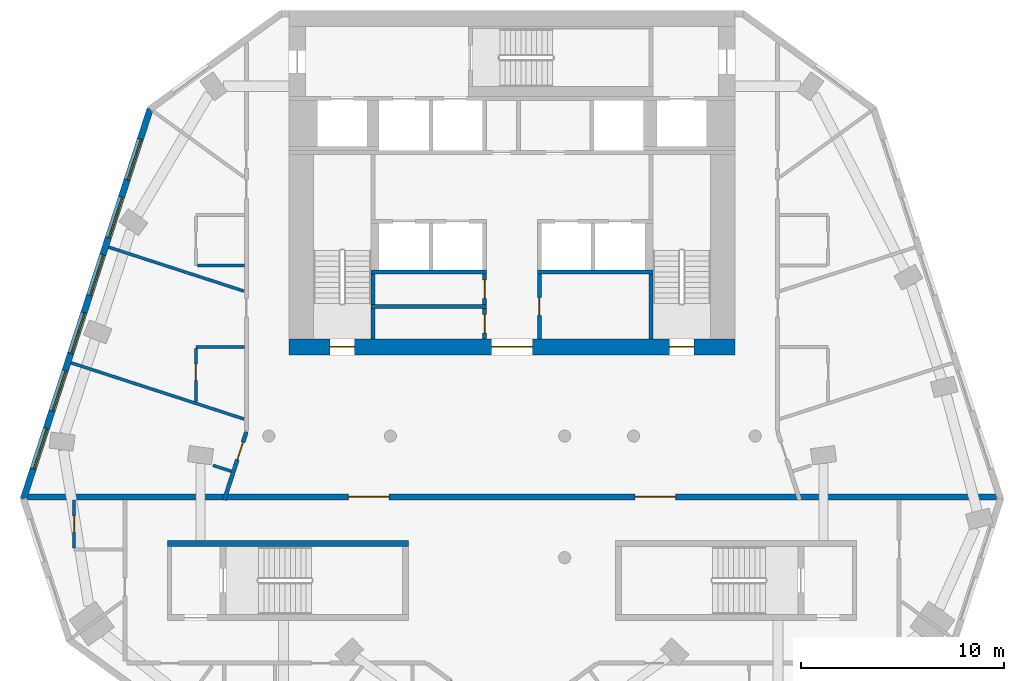
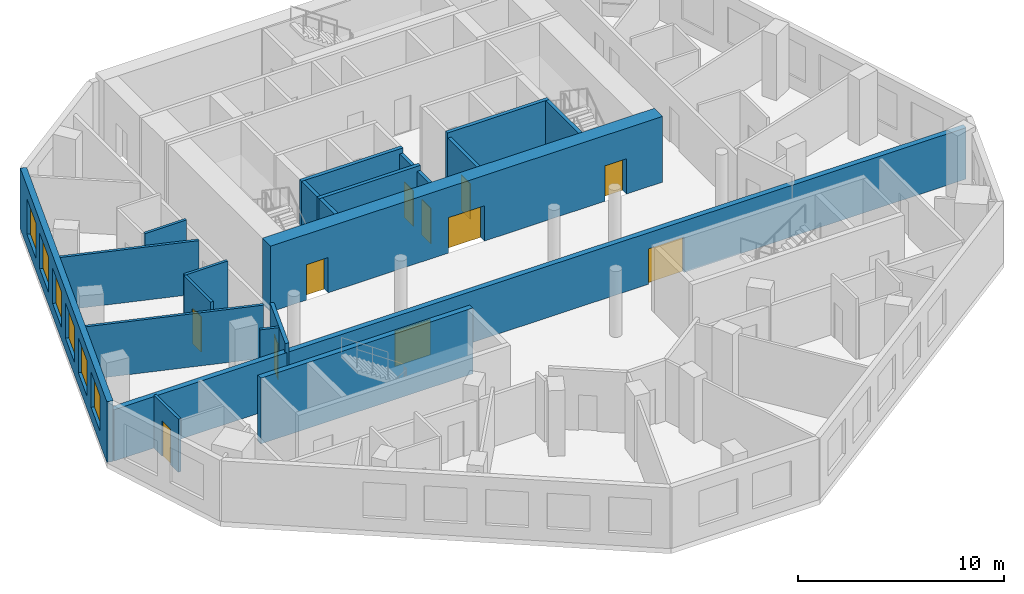
# One storey, part 3 of 9: 21 walls, 11 doors, 6 windows, 17 openings.
"""IFC4 building model written with IfcOpenShell, lengths in metres."""

from ifc_helpers import new_model, si_unit, direction, frame, frame_2d, origin, place, context, subcontext, project, spatial, rectangle, extrude, material, layer, layer_set, type_object, element, fill, save


model = new_model("IFC4")

# Units and contexts
model_context = context("Model", 3, precision=1e-05, world=origin(), true_north=direction((0.0, 1.0)))
body_context = subcontext(model_context, "Body", "Model", "MODEL_VIEW")
ifc_project = project(units=[si_unit("LENGTHUNIT", "METRE"), si_unit("AREAUNIT", "SQUARE_METRE"), si_unit("VOLUMEUNIT", "CUBIC_METRE"), si_unit("PLANEANGLEUNIT", "RADIAN"), si_unit("MASSUNIT", "GRAM", prefix="KILO")], contexts=[model_context])

# Site, building, storey
site_placement = place(None, origin())
site = spatial("IfcSite", under=ifc_project, at=site_placement, CompositionType="ELEMENT")
building_placement = place(site_placement, origin())
building = spatial("IfcBuilding", under=site, at=building_placement, Name="White Candle Pilgrim Tower", CompositionType="ELEMENT")
storey_placement = place(building_placement, frame((0.0, 0.0, 239.39990234375)))
storey = spatial("IfcBuildingStorey", under=building, at=storey_placement, Name="L56", CompositionType="ELEMENT", Elevation=239.39990234375)

# Wall, opening, door
ifc_material_1 = material(Name="Gypsum board on steel studs", Category="steel")
ifc_layer_1 = layer(ifc_material_1, 0.199951171875)
ifc_layer_set_1 = layer_set([ifc_layer_1], Name="Corridor wall 200 mm EI 45")
wall_type_1 = type_object("IfcWallType", Name="Corridor wall 200 mm EI 45", PredefinedType="PARTITIONING", material=ifc_layer_set_1)
wall_1_placement = place(storey_placement, frame((55.802978515625, 63.85009765625, 0.0), z_axis=(0.0, 0.0, 1.0), x_axis=(0.309026709141, 0.951053359721, 0.0)))
wall_1 = element("IfcWall", 1, at=wall_1_placement, inside=storey, type_object=wall_type_1, Name="WL-L56-P002", PredefinedType="PARTITIONING", context=body_context, shape_type="SweptSolid", body=[
    extrude(rectangle(XDim=3.53369140625, YDim=0.199951171875, at=frame_2d((1.766845703125, 0.0))), origin(), (0.0, 0.0, 1.0), 3.60009765625),
])
opening_1_placement = place(wall_1_placement, frame((2.091796875, 0.0, 0.0)))
opening_1 = element("IfcOpeningElement", 2, at=opening_1_placement, cuts=wall_1, Name="Opening T17-119", PredefinedType="OPENING", context=body_context, shape_type="SweptSolid", body=[
    extrude(rectangle(XDim=0.89990234375, YDim=2.10009765625, at=frame_2d((0.449951171875, 1.050048828125))), frame((0.0, 0.10986328125, 0.0), z_axis=(0.0, -1.0, 0.0), x_axis=(1.0, 0.0, 0.0)), (0.0, 0.0, 1.0), 0.219970703125),
])
ifc_material_2 = material(Name="Steel door leaf", Category="steel")
door_type_1 = type_object("IfcDoorType", Name="Fire door 900 x 2100 EI 30", OperationType="NOTDEFINED", PredefinedType="DOOR", material=ifc_material_2)
door_1_placement = place(opening_1_placement, origin())
door_1 = element("IfcDoor", 3, at=door_1_placement, inside=storey, type_object=door_type_1, Name="Door T17-119", OperationType="SINGLE_SWING_LEFT", OverallHeight=2.10009765625, OverallWidth=0.89990234375, PredefinedType="DOOR", context=body_context, shape_type="SweptSolid", body=[
    extrude(rectangle(XDim=0.89990234375, YDim=2.10009765625, at=frame_2d((0.449951171875, 1.050048828125))), frame((0.0, 0.02490234375, 0.0), z_axis=(0.0, -1.0, 0.0), x_axis=(1.0, 0.0, 0.0)), (0.0, 0.0, 1.0), 0.050048828125),
])
fill(opening_1, door_1)

# Wall, openings, windows
ifc_material_3 = material(Name="Precast concrete C40/50", Category="concrete")
ifc_layer_2 = layer(ifc_material_3, 0.320068359375)
ifc_layer_set_2 = layer_set([ifc_layer_2], Name="Facade wall EW1 precast concrete C40/50 pier wall with timber-lined reveals")
wall_type_2 = type_object("IfcWallType", Name="Facade wall EW1 precast concrete C40/50 pier wall with timber-lined reveals", PredefinedType="SOLIDWALL", material=ifc_layer_set_2)
wall_2_placement = place(storey_placement, frame((52.14453125, 83.138916015625, 0.0), z_axis=(0.0, 0.0, 1.0), x_axis=(-0.309017027312, -0.951056505593, 0.0)))
wall_2 = element("IfcWall", 4, at=wall_2_placement, inside=storey, type_object=wall_type_2, Name="Facade wall L56 WNW", PredefinedType="SOLIDWALL", context=body_context, shape_type="SweptSolid", body=[
    extrude(rectangle(XDim=20.228515625, YDim=0.320068359375, at=frame_2d((10.1142578125, 0.0))), origin(), (0.0, 0.0, 1.0), 3.60009765625),
])
opening_2_placement = place(wall_2_placement, frame((1.564453125, 0.0, 0.75)))
opening_2 = element("IfcOpeningElement", 5, at=opening_2_placement, cuts=wall_2, Name="Opening W3", PredefinedType="OPENING", context=body_context, shape_type="SweptSolid", body=[
    extrude(rectangle(XDim=2.10009765625, YDim=2.10009765625, at=frame_2d((1.050048828125, 1.050048828125))), frame((0.0, 0.169921875, 0.0), z_axis=(0.0, -1.0, 0.0), x_axis=(1.0, 0.0, 0.0)), (0.0, 0.0, 1.0), 0.340087890625),
])
opening_3_placement = place(wall_2_placement, frame((4.564453125, 0.0, 0.75)))
opening_3 = element("IfcOpeningElement", 6, at=opening_3_placement, cuts=wall_2, Name="Opening W3", PredefinedType="OPENING", context=body_context, shape_type="SweptSolid", body=[
    extrude(rectangle(XDim=2.10009765625, YDim=2.10009765625, at=frame_2d((1.050048828125, 1.050048828125))), frame((0.0, 0.169921875, 0.0), z_axis=(0.0, -1.0, 0.0), x_axis=(1.0, 0.0, 0.0)), (0.0, 0.0, 1.0), 0.340087890625),
])
opening_4_placement = place(wall_2_placement, frame((7.564453125, 0.0, 0.75)))
opening_4 = element("IfcOpeningElement", 7, at=opening_4_placement, cuts=wall_2, Name="Opening W3", PredefinedType="OPENING", context=body_context, shape_type="SweptSolid", body=[
    extrude(rectangle(XDim=2.10009765625, YDim=2.10009765625, at=frame_2d((1.050048828125, 1.050048828125))), frame((0.0, 0.169921875, 0.0), z_axis=(0.0, -1.0, 0.0), x_axis=(1.0, 0.0, 0.0)), (0.0, 0.0, 1.0), 0.340087890625),
])
opening_5_placement = place(wall_2_placement, frame((10.564453125, 0.0, 0.75)))
opening_5 = element("IfcOpeningElement", 8, at=opening_5_placement, cuts=wall_2, Name="Opening W3", PredefinedType="OPENING", context=body_context, shape_type="SweptSolid", body=[
    extrude(rectangle(XDim=2.10009765625, YDim=2.10009765625, at=frame_2d((1.050048828125, 1.050048828125))), frame((0.0, 0.169921875, 0.0), z_axis=(0.0, -1.0, 0.0), x_axis=(1.0, 0.0, 0.0)), (0.0, 0.0, 1.0), 0.340087890625),
])
opening_6_placement = place(wall_2_placement, frame((13.564453125, 0.0, 0.75)))
opening_6 = element("IfcOpeningElement", 9, at=opening_6_placement, cuts=wall_2, Name="Opening W3", PredefinedType="OPENING", context=body_context, shape_type="SweptSolid", body=[
    extrude(rectangle(XDim=2.10009765625, YDim=2.10009765625, at=frame_2d((1.050048828125, 1.050048828125))), frame((0.0, 0.169921875, 0.0), z_axis=(0.0, -1.0, 0.0), x_axis=(1.0, 0.0, 0.0)), (0.0, 0.0, 1.0), 0.340087890625),
])
opening_7_placement = place(wall_2_placement, frame((16.564453125, 0.0, 0.75)))
opening_7 = element("IfcOpeningElement", 10, at=opening_7_placement, cuts=wall_2, Name="Opening W3", PredefinedType="OPENING", context=body_context, shape_type="SweptSolid", body=[
    extrude(rectangle(XDim=2.10009765625, YDim=2.10009765625, at=frame_2d((1.050048828125, 1.050048828125))), frame((0.0, 0.169921875, 0.0), z_axis=(0.0, -1.0, 0.0), x_axis=(1.0, 0.0, 0.0)), (0.0, 0.0, 1.0), 0.340087890625),
])
ifc_material_4 = material(Name="Timber frame with triple glazing", Category="wood")
window_type = type_object("IfcWindowType", Name="Window W3 2100x2100 timber frame triple glazing", PartitioningType="SINGLE_PANEL", PredefinedType="WINDOW", material=ifc_material_4)
window_1_placement = place(opening_2_placement, origin())
window_1 = element("IfcWindow", 11, at=window_1_placement, inside=storey, type_object=window_type, Name="Window W3 L56 WNW 1", OverallHeight=2.10009765625, OverallWidth=2.10009765625, PartitioningType="SINGLE_PANEL", PredefinedType="WINDOW", context=body_context, shape_type="SweptSolid", body=[
    extrude(rectangle(XDim=2.10009765625, YDim=2.10009765625, at=frame_2d((1.050048828125, 1.050048828125))), frame((0.0, 0.070068359375, 0.0), z_axis=(0.0, -1.0, 0.0), x_axis=(1.0, 0.0, 0.0)), (0.0, 0.0, 1.0), 0.06005859375),
])
fill(opening_2, window_1)
window_2_placement = place(opening_3_placement, origin())
window_2 = element("IfcWindow", 12, at=window_2_placement, inside=storey, type_object=window_type, Name="Window W3 L56 WNW 2", OverallHeight=2.10009765625, OverallWidth=2.10009765625, PartitioningType="SINGLE_PANEL", PredefinedType="WINDOW", context=body_context, shape_type="SweptSolid", body=[
    extrude(rectangle(XDim=2.10009765625, YDim=2.10009765625, at=frame_2d((1.050048828125, 1.050048828125))), frame((0.0, 0.070068359375, 0.0), z_axis=(0.0, -1.0, 0.0), x_axis=(1.0, 0.0, 0.0)), (0.0, 0.0, 1.0), 0.06005859375),
])
fill(opening_3, window_2)
window_3_placement = place(opening_4_placement, origin())
window_3 = element("IfcWindow", 13, at=window_3_placement, inside=storey, type_object=window_type, Name="Window W3 L56 WNW 3", OverallHeight=2.10009765625, OverallWidth=2.10009765625, PartitioningType="SINGLE_PANEL", PredefinedType="WINDOW", context=body_context, shape_type="SweptSolid", body=[
    extrude(rectangle(XDim=2.10009765625, YDim=2.10009765625, at=frame_2d((1.050048828125, 1.050048828125))), frame((0.0, 0.070068359375, 0.0), z_axis=(0.0, -1.0, 0.0), x_axis=(1.0, 0.0, 0.0)), (0.0, 0.0, 1.0), 0.06005859375),
])
fill(opening_4, window_3)
window_4_placement = place(opening_5_placement, origin())
window_4 = element("IfcWindow", 14, at=window_4_placement, inside=storey, type_object=window_type, Name="Window W3 L56 WNW 4", OverallHeight=2.10009765625, OverallWidth=2.10009765625, PartitioningType="SINGLE_PANEL", PredefinedType="WINDOW", context=body_context, shape_type="SweptSolid", body=[
    extrude(rectangle(XDim=2.10009765625, YDim=2.10009765625, at=frame_2d((1.050048828125, 1.050048828125))), frame((0.0, 0.070068359375, 0.0), z_axis=(0.0, -1.0, 0.0), x_axis=(1.0, 0.0, 0.0)), (0.0, 0.0, 1.0), 0.06005859375),
])
fill(opening_5, window_4)
window_5_placement = place(opening_6_placement, origin())
window_5 = element("IfcWindow", 15, at=window_5_placement, inside=storey, type_object=window_type, Name="Window W3 L56 WNW 5", OverallHeight=2.10009765625, OverallWidth=2.10009765625, PartitioningType="SINGLE_PANEL", PredefinedType="WINDOW", context=body_context, shape_type="SweptSolid", body=[
    extrude(rectangle(XDim=2.10009765625, YDim=2.10009765625, at=frame_2d((1.050048828125, 1.050048828125))), frame((0.0, 0.070068359375, 0.0), z_axis=(0.0, -1.0, 0.0), x_axis=(1.0, 0.0, 0.0)), (0.0, 0.0, 1.0), 0.06005859375),
])
fill(opening_6, window_5)
window_6_placement = place(opening_7_placement, origin())
window_6 = element("IfcWindow", 16, at=window_6_placement, inside=storey, type_object=window_type, Name="Window W3 L56 WNW 6", OverallHeight=2.10009765625, OverallWidth=2.10009765625, PartitioningType="SINGLE_PANEL", PredefinedType="WINDOW", context=body_context, shape_type="SweptSolid", body=[
    extrude(rectangle(XDim=2.10009765625, YDim=2.10009765625, at=frame_2d((1.050048828125, 1.050048828125))), frame((0.0, 0.070068359375, 0.0), z_axis=(0.0, -1.0, 0.0), x_axis=(1.0, 0.0, 0.0)), (0.0, 0.0, 1.0), 0.06005859375),
])
fill(opening_7, window_6)

# Wall, openings, doors
ifc_material_5 = material(Name="Aerated concrete block", Category="concrete")
ifc_layer_3 = layer(ifc_material_5, 0.300048828125)
ifc_layer_set_3 = layer_set([ifc_layer_3], Name="Fire wall 300 mm REI 240")
wall_type_3 = type_object("IfcWallType", Name="Fire wall 300 mm REI 240", PredefinedType="PARTITIONING", material=ifc_layer_set_3)
wall_3_placement = place(storey_placement, frame((46.09423828125, 64.0, 0.0), z_axis=(0.0, 0.0, 1.0), x_axis=(1.0, 0.0, 0.0)))
wall_3 = element("IfcWall", 17, at=wall_3_placement, inside=storey, type_object=wall_type_3, Name="WL-L56-P001", PredefinedType="PARTITIONING", context=body_context, shape_type="SweptSolid", body=[
    extrude(rectangle(XDim=47.8115234375, YDim=0.300048828125, at=frame_2d((23.90576171875, 0.0))), origin(), (0.0, 0.0, 1.0), 3.050048828125),
])
opening_8_placement = place(wall_3_placement, frame((15.831787109375, 0.0, 0.0)))
opening_8 = element("IfcOpeningElement", 18, at=opening_8_placement, cuts=wall_3, Name="Opening T17-117", PredefinedType="OPENING", context=body_context, shape_type="SweptSolid", body=[
    extrude(rectangle(XDim=2.0, YDim=2.10009765625, at=frame_2d((1.0, 1.050048828125))), frame((0.0, 0.159912109375, 0.0), z_axis=(0.0, -1.0, 0.0), x_axis=(1.0, 0.0, 0.0)), (0.0, 0.0, 1.0), 0.320068359375),
])
opening_9_placement = place(wall_3_placement, frame((29.97998046875, 0.0, 0.0)))
opening_9 = element("IfcOpeningElement", 19, at=opening_9_placement, cuts=wall_3, Name="Opening T17-118", PredefinedType="OPENING", context=body_context, shape_type="SweptSolid", body=[
    extrude(rectangle(XDim=2.0, YDim=2.10009765625, at=frame_2d((1.0, 1.050048828125))), frame((0.0, 0.159912109375, 0.0), z_axis=(0.0, -1.0, 0.0), x_axis=(1.0, 0.0, 0.0)), (0.0, 0.0, 1.0), 0.320068359375),
])
door_type_2 = type_object("IfcDoorType", Name="Fire door 2000 x 2100 EI 60", OperationType="NOTDEFINED", PredefinedType="DOOR", material=ifc_material_2)
door_2_placement = place(opening_8_placement, origin())
door_2 = element("IfcDoor", 20, at=door_2_placement, inside=storey, type_object=door_type_2, Name="Door T17-117", OperationType="DOUBLE_DOOR_SINGLE_SWING", OverallHeight=2.10009765625, OverallWidth=2.0, PredefinedType="DOOR", context=body_context, shape_type="SweptSolid", body=[
    extrude(rectangle(XDim=2.0, YDim=2.10009765625, at=frame_2d((1.0, 1.050048828125))), frame((0.0, 0.02490234375, 0.0), z_axis=(0.0, -1.0, 0.0), x_axis=(1.0, 0.0, 0.0)), (0.0, 0.0, 1.0), 0.050048828125),
])
fill(opening_8, door_2)
door_3_placement = place(opening_9_placement, origin())
door_3 = element("IfcDoor", 21, at=door_3_placement, inside=storey, type_object=door_type_2, Name="Door T17-118", OperationType="DOUBLE_DOOR_SINGLE_SWING", OverallHeight=2.10009765625, OverallWidth=2.0, PredefinedType="DOOR", context=body_context, shape_type="SweptSolid", body=[
    extrude(rectangle(XDim=2.0, YDim=2.10009765625, at=frame_2d((1.0, 1.050048828125))), frame((0.0, 0.02490234375, 0.0), z_axis=(0.0, -1.0, 0.0), x_axis=(1.0, 0.0, 0.0)), (0.0, 0.0, 1.0), 0.050048828125),
])
fill(opening_9, door_3)

# Wall, opening, door
ifc_layer_4 = layer(ifc_material_1, 0.199951171875)
ifc_layer_set_4 = layer_set([ifc_layer_4], Name="Lobby wall 200 mm EI 60")
wall_type_4 = type_object("IfcWallType", Name="Lobby wall 200 mm EI 60", PredefinedType="PARTITIONING", material=ifc_layer_set_4)
wall_4_placement = place(storey_placement, frame((68.64990234375, 71.800048828125, 0.0), z_axis=(0.0, 0.0, 1.0), x_axis=(0.0, 1.0, 0.0)))
wall_4 = element("IfcWall", 22, at=wall_4_placement, inside=storey, type_object=wall_type_4, Name="WL-L56-C14", PredefinedType="PARTITIONING", context=body_context, shape_type="SweptSolid", body=[
    extrude(rectangle(XDim=1.5, YDim=0.199951171875, at=frame_2d((0.75, 0.0))), origin(), (0.0, 0.0, 1.0), 3.60009765625),
])
opening_10_placement = place(wall_4_placement, frame((0.300048828125, 0.0, 0.0)))
opening_10 = element("IfcOpeningElement", 23, at=opening_10_placement, cuts=wall_4, Name="Opening T17-005", PredefinedType="OPENING", context=body_context, shape_type="SweptSolid", body=[
    extrude(rectangle(XDim=0.89990234375, YDim=2.10009765625, at=frame_2d((0.449951171875, 1.050048828125))), frame((0.0, 0.10986328125, 0.0), z_axis=(0.0, -1.0, 0.0), x_axis=(1.0, 0.0, 0.0)), (0.0, 0.0, 1.0), 0.219970703125),
])
door_4_placement = place(opening_10_placement, origin())
door_4 = element("IfcDoor", 24, at=door_4_placement, inside=storey, type_object=door_type_1, Name="Door T17-005", OperationType="SINGLE_SWING_LEFT", OverallHeight=2.10009765625, OverallWidth=0.89990234375, PredefinedType="DOOR", context=body_context, shape_type="SweptSolid", body=[
    extrude(rectangle(XDim=0.89990234375, YDim=2.10009765625, at=frame_2d((0.449951171875, 1.050048828125))), frame((0.0, 0.02490234375, 0.0), z_axis=(0.0, -1.0, 0.0), x_axis=(1.0, 0.0, 0.0)), (0.0, 0.0, 1.0), 0.050048828125),
])
fill(opening_10, door_4)

wall_5_placement = place(storey_placement, frame((71.35009765625, 71.800048828125, 0.0), z_axis=(0.0, 0.0, 1.0), x_axis=(0.0, 1.0, 0.0)))
wall_5 = element("IfcWall", 25, at=wall_5_placement, inside=storey, type_object=wall_type_4, Name="WL-L56-C15", PredefinedType="PARTITIONING", context=body_context, shape_type="SweptSolid", body=[
    extrude(rectangle(XDim=3.199951171875, YDim=0.199951171875, at=frame_2d((1.60009765625, 0.0))), origin(), (0.0, 0.0, 1.0), 3.60009765625),
])
opening_11_placement = place(wall_5_placement, frame((1.14990234375, 0.0, 0.0)))
opening_11 = element("IfcOpeningElement", 26, at=opening_11_placement, cuts=wall_5, Name="Opening T17-007", PredefinedType="OPENING", context=body_context, shape_type="SweptSolid", body=[
    extrude(rectangle(XDim=0.89990234375, YDim=2.10009765625, at=frame_2d((0.449951171875, 1.050048828125))), frame((0.0, 0.10986328125, 0.0), z_axis=(0.0, -1.0, 0.0), x_axis=(1.0, 0.0, 0.0)), (0.0, 0.0, 1.0), 0.219970703125),
])
door_5_placement = place(opening_11_placement, origin())
door_5 = element("IfcDoor", 27, at=door_5_placement, inside=storey, type_object=door_type_1, Name="Door T17-007", OperationType="SINGLE_SWING_LEFT", OverallHeight=2.10009765625, OverallWidth=0.89990234375, PredefinedType="DOOR", context=body_context, shape_type="SweptSolid", body=[
    extrude(rectangle(XDim=0.89990234375, YDim=2.10009765625, at=frame_2d((0.449951171875, 1.050048828125))), frame((0.0, 0.02490234375, 0.0), z_axis=(0.0, -1.0, 0.0), x_axis=(1.0, 0.0, 0.0)), (0.0, 0.0, 1.0), 0.050048828125),
])
fill(opening_11, door_5)

wall_6_placement = place(storey_placement, frame((68.64990234375, 73.5, 0.0), z_axis=(0.0, 0.0, 1.0), x_axis=(0.0, 1.0, 0.0)))
wall_6 = element("IfcWall", 28, at=wall_6_placement, inside=storey, type_object=wall_type_4, Name="WL-L56-C20", PredefinedType="PARTITIONING", context=body_context, shape_type="SweptSolid", body=[
    extrude(rectangle(XDim=1.5, YDim=0.199951171875, at=frame_2d((0.75, 0.0))), origin(), (0.0, 0.0, 1.0), 3.60009765625),
])
opening_12_placement = place(wall_6_placement, frame((0.300048828125, 0.0, 0.0)))
opening_12 = element("IfcOpeningElement", 29, at=opening_12_placement, cuts=wall_6, Name="Opening T17-006", PredefinedType="OPENING", context=body_context, shape_type="SweptSolid", body=[
    extrude(rectangle(XDim=0.89990234375, YDim=2.10009765625, at=frame_2d((0.449951171875, 1.050048828125))), frame((0.0, 0.10986328125, 0.0), z_axis=(0.0, -1.0, 0.0), x_axis=(1.0, 0.0, 0.0)), (0.0, 0.0, 1.0), 0.219970703125),
])
door_6_placement = place(opening_12_placement, origin())
door_6 = element("IfcDoor", 30, at=door_6_placement, inside=storey, type_object=door_type_1, Name="Door T17-006", OperationType="SINGLE_SWING_RIGHT", OverallHeight=2.10009765625, OverallWidth=0.89990234375, PredefinedType="DOOR", context=body_context, shape_type="SweptSolid", body=[
    extrude(rectangle(XDim=0.89990234375, YDim=2.10009765625, at=frame_2d((0.449951171875, 1.050048828125))), frame((0.0, 0.02490234375, 0.0), z_axis=(0.0, -1.0, 0.0), x_axis=(1.0, 0.0, 0.0)), (0.0, 0.0, 1.0), 0.050048828125),
])
fill(opening_12, door_6)

# Walls
ifc_layer_5 = layer(ifc_material_1, 0.14990234375)
ifc_layer_set_5 = layer_set([ifc_layer_5], Name="Partition 150 mm EI 60")
wall_type_5 = type_object("IfcWallType", Name="Partition 150 mm EI 60", PredefinedType="PARTITIONING", material=ifc_layer_set_5)
wall_7_placement = place(storey_placement, frame((50.098388671875, 76.323486328125, 0.0), z_axis=(0.0, 0.0, 1.0), x_axis=(0.951058338022, -0.30901138762, 0.0)))
element("IfcWall", 31, at=wall_7_placement, inside=storey, type_object=wall_type_5, Name="WL-L56-P019", PredefinedType="PARTITIONING", context=body_context, shape_type="SweptSolid", body=[
    extrude(rectangle(XDim=7.022216796875, YDim=0.14990234375, at=frame_2d((3.51123046875, 0.0))), origin(), (0.0, 0.0, 1.0), 3.150146484375),
])
wall_8_placement = place(storey_placement, frame((48.244140625, 70.6171875, 0.0), z_axis=(0.0, 0.0, 1.0), x_axis=(0.951056063509, -0.309018387903, 0.0)))
element("IfcWall", 32, at=wall_8_placement, inside=storey, type_object=wall_type_5, Name="WL-L56-P020", PredefinedType="PARTITIONING", context=body_context, shape_type="SweptSolid", body=[
    extrude(rectangle(XDim=8.971923828125, YDim=0.14990234375, at=frame_2d((4.48583984375, 0.0))), origin(), (0.0, 0.0, 1.0), 3.150146484375),
])
wall_9_placement = place(storey_placement, frame((56.800048828125, 75.413330078125, 0.0), z_axis=(0.0, 0.0, 1.0), x_axis=(-1.0, 0.0, 0.0)))
element("IfcWall", 33, at=wall_9_placement, inside=storey, type_object=wall_type_5, Name="WL-L56-P023", PredefinedType="PARTITIONING", context=body_context, shape_type="SweptSolid", body=[
    extrude(rectangle(XDim=2.324951171875, YDim=0.14990234375, at=frame_2d((1.16259765625, 0.0))), origin(), (0.0, 0.0, 1.0), 3.60009765625),
])
wall_10_placement = place(storey_placement, frame((56.800048828125, 71.39990234375, 0.0), z_axis=(0.0, 0.0, 1.0), x_axis=(-1.0, 0.0, 0.0)))
element("IfcWall", 34, at=wall_10_placement, inside=storey, type_object=wall_type_5, Name="WL-L56-P024", PredefinedType="PARTITIONING", context=body_context, shape_type="SweptSolid", body=[
    extrude(rectangle(XDim=2.400146484375, YDim=0.14990234375, at=frame_2d((1.2001953125, 0.0))), origin(), (0.0, 0.0, 1.0), 3.60009765625),
])

# Wall, opening, door
wall_11_placement = place(storey_placement, frame((54.39990234375, 68.72021484375, 0.0), z_axis=(0.0, 0.0, 1.0), x_axis=(0.0, 1.0, 0.0)))
wall_11 = element("IfcWall", 35, at=wall_11_placement, inside=storey, type_object=wall_type_5, Name="WL-L56-P025", PredefinedType="PARTITIONING", context=body_context, shape_type="SweptSolid", body=[
    extrude(rectangle(XDim=2.604736328125, YDim=0.14990234375, at=frame_2d((1.30224609375, 0.0))), origin(), (0.0, 0.0, 1.0), 3.60009765625),
])
opening_13_placement = place(wall_11_placement, frame((1.02978515625, 0.0, 0.0)))
opening_13 = element("IfcOpeningElement", 36, at=opening_13_placement, cuts=wall_11, Name="Opening T17-102", PredefinedType="OPENING", context=body_context, shape_type="SweptSolid", body=[
    extrude(rectangle(XDim=0.800048828125, YDim=2.10009765625, at=frame_2d((0.39990234375, 1.050048828125))), frame((0.0, 0.0849609375, 0.0), z_axis=(0.0, -1.0, 0.0), x_axis=(1.0, 0.0, 0.0)), (0.0, 0.0, 1.0), 0.169921875),
])
door_type_3 = type_object("IfcDoorType", Name="Fire door 800 x 2100 EI 30", OperationType="NOTDEFINED", PredefinedType="DOOR", material=ifc_material_2)
door_7_placement = place(opening_13_placement, origin())
door_7 = element("IfcDoor", 37, at=door_7_placement, inside=storey, type_object=door_type_3, Name="Door T17-102", OperationType="SINGLE_SWING_RIGHT", OverallHeight=2.10009765625, OverallWidth=0.800048828125, PredefinedType="DOOR", context=body_context, shape_type="SweptSolid", body=[
    extrude(rectangle(XDim=0.800048828125, YDim=2.10009765625, at=frame_2d((0.39990234375, 1.050048828125))), frame((0.0, 0.02490234375, 0.0), z_axis=(0.0, -1.0, 0.0), x_axis=(1.0, 0.0, 0.0)), (0.0, 0.0, 1.0), 0.050048828125),
])
fill(opening_13, door_7)

wall_12_placement = place(storey_placement, frame((48.39990234375, 63.85009765625, 0.0), z_axis=(0.0, 0.0, 1.0), x_axis=(0.0, -1.0, 0.0)))
wall_12 = element("IfcWall", 38, at=wall_12_placement, inside=storey, type_object=wall_type_5, Name="WL-L56-P027", PredefinedType="PARTITIONING", context=body_context, shape_type="SweptSolid", body=[
    extrude(rectangle(XDim=2.374755859375, YDim=0.14990234375, at=frame_2d((1.1875, 0.0))), origin(), (0.0, 0.0, 1.0), 3.150146484375),
])
opening_14_placement = place(wall_12_placement, frame((0.799560546875, 0.0, 0.0)))
opening_14 = element("IfcOpeningElement", 39, at=opening_14_placement, cuts=wall_12, Name="Opening T17-103", PredefinedType="OPENING", context=body_context, shape_type="SweptSolid", body=[
    extrude(rectangle(XDim=0.800048828125, YDim=2.10009765625, at=frame_2d((0.39990234375, 1.050048828125))), frame((0.0, 0.0849609375, 0.0), z_axis=(0.0, -1.0, 0.0), x_axis=(1.0, 0.0, 0.0)), (0.0, 0.0, 1.0), 0.169921875),
])
door_8_placement = place(opening_14_placement, frame((0.800048828125, 0.0, 0.0), z_axis=(0.0, 0.0, 1.0), x_axis=(-1.0, 0.0, 0.0)))
door_8 = element("IfcDoor", 40, at=door_8_placement, inside=storey, type_object=door_type_3, Name="Door T17-103", OperationType="SINGLE_SWING_RIGHT", OverallHeight=2.10009765625, OverallWidth=0.800048828125, PredefinedType="DOOR", context=body_context, shape_type="SweptSolid", body=[
    extrude(rectangle(XDim=0.800048828125, YDim=2.10009765625, at=frame_2d((0.39990234375, 1.050048828125))), frame((0.0, 0.02490234375, 0.0), z_axis=(0.0, -1.0, 0.0), x_axis=(1.0, 0.0, 0.0)), (0.0, 0.0, 1.0), 0.050048828125),
])
fill(opening_14, door_8)

# Walls
wall_13_placement = place(storey_placement, frame((55.2568359375, 65.55517578125, 0.0), z_axis=(0.0, 0.0, 1.0), x_axis=(0.951054918228, -0.309021912676, 0.0)))
element("IfcWall", 41, at=wall_13_placement, inside=storey, type_object=wall_type_5, Name="WL-L56-P047", PredefinedType="PARTITIONING", context=body_context, shape_type="SweptSolid", body=[
    extrude(rectangle(XDim=0.946533203125, YDim=0.14990234375, at=frame_2d((0.47314453125, 0.0))), origin(), (0.0, 0.0, 1.0), 3.60009765625),
])
ifc_material_6 = material(Name="Concrete C50/60", Category="concrete")
ifc_layer_6 = layer(ifc_material_6, 0.199951171875)
ifc_layer_set_6 = layer_set([ifc_layer_6], Name="Stair shaft wall 200 mm Concrete C50/60")
wall_type_6 = type_object("IfcWallType", Name="Stair shaft wall 200 mm Concrete C50/60", PredefinedType="SHEAR", material=ifc_layer_set_6)
wall_14_placement = place(storey_placement, frame((63.14990234375, 71.800048828125, 0.0), z_axis=(0.0, 0.0, 1.0), x_axis=(0.0, 1.0, 0.0)))
element("IfcWall", 42, at=wall_14_placement, inside=storey, type_object=wall_type_6, Name="WL-L56-C13", PredefinedType="SHEAR", context=body_context, shape_type="SweptSolid", body=[
    extrude(rectangle(XDim=1.5, YDim=0.199951171875, at=frame_2d((0.75, 0.0))), origin(), (0.0, 0.0, 1.0), 3.900146484375),
])
wall_15_placement = place(storey_placement, frame((76.85009765625, 71.800048828125, 0.0), z_axis=(0.0, 0.0, 1.0), x_axis=(0.0, 1.0, 0.0)))
element("IfcWall", 43, at=wall_15_placement, inside=storey, type_object=wall_type_6, Name="WL-L56-C16", PredefinedType="SHEAR", context=body_context, shape_type="SweptSolid", body=[
    extrude(rectangle(XDim=3.199951171875, YDim=0.199951171875, at=frame_2d((1.60009765625, 0.0))), origin(), (0.0, 0.0, 1.0), 3.900146484375),
])
wall_16_placement = place(storey_placement, frame((63.050048828125, 73.39990234375, 0.0), z_axis=(0.0, 0.0, 1.0), x_axis=(1.0, 0.0, 0.0)))
element("IfcWall", 44, at=wall_16_placement, inside=storey, type_object=wall_type_6, Name="WL-L56-C18", PredefinedType="SHEAR", context=body_context, shape_type="SweptSolid", body=[
    extrude(rectangle(XDim=5.699951171875, YDim=0.199951171875, at=frame_2d((2.85009765625, 0.0))), origin(), (0.0, 0.0, 1.0), 3.900146484375),
])
wall_17_placement = place(storey_placement, frame((63.14990234375, 73.5, 0.0), z_axis=(0.0, 0.0, 1.0), x_axis=(0.0, 1.0, 0.0)))
element("IfcWall", 45, at=wall_17_placement, inside=storey, type_object=wall_type_6, Name="WL-L56-C19", PredefinedType="SHEAR", context=body_context, shape_type="SweptSolid", body=[
    extrude(rectangle(XDim=1.5, YDim=0.199951171875, at=frame_2d((0.75, 0.0))), origin(), (0.0, 0.0, 1.0), 3.900146484375),
])
for number, where, z_axis, x_axis, name in (
    (46, (63.050048828125, 75.10009765625, 0.0), (0.0, 0.0, 1.0), (1.0, 0.0, 0.0), "WL-L56-C21"),
    (47, (71.25, 75.10009765625, 0.0), (0.0, 0.0, 1.0), (1.0, 0.0, 0.0), "WL-L56-C22"),
):
    element("IfcWall", number, at=place(storey_placement, frame(where, z_axis=z_axis, x_axis=x_axis)), inside=storey, type_object=wall_type_6, Name=name, PredefinedType="SHEAR", context=body_context, shape_type="SweptSolid", body=[
        extrude(rectangle(XDim=5.699951171875, YDim=0.199951171875, at=frame_2d((2.85009765625, 0.0))), origin(), (0.0, 0.0, 1.0), 3.900146484375),
    ])
ifc_layer_7 = layer(ifc_material_6, 0.300048828125)
ifc_layer_set_7 = layer_set([ifc_layer_7], Name="Stair shaft wall 300 mm Concrete C50/60")
wall_type_7 = type_object("IfcWallType", Name="Stair shaft wall 300 mm Concrete C50/60", PredefinedType="SHEAR", material=ifc_layer_set_7)
wall_18_placement = place(storey_placement, frame((53.0, 61.699951171875, 0.0), z_axis=(0.0, 0.0, 1.0), x_axis=(1.0, 0.0, 0.0)))
element("IfcWall", 48, at=wall_18_placement, inside=storey, type_object=wall_type_7, Name="WL-L56-C09", PredefinedType="SHEAR", context=body_context, shape_type="SweptSolid", body=[
    extrude(rectangle(XDim=11.89990234375, YDim=0.300048828125, at=frame_2d((5.949951171875, 0.0))), origin(), (0.0, 0.0, 1.0), 3.900146484375),
])

# Wall, openings, doors
ifc_layer_8 = layer(ifc_material_6, 0.800048828125)
ifc_layer_set_8 = layer_set([ifc_layer_8], Name="Stair shaft wall 800 mm Concrete C50/60")
wall_type_8 = type_object("IfcWallType", Name="Stair shaft wall 800 mm Concrete C50/60", PredefinedType="SHEAR", material=ifc_layer_set_8)
wall_19_placement = place(storey_placement, frame((59.0, 71.39990234375, 0.0), z_axis=(0.0, 0.0, 1.0), x_axis=(1.0, 0.0, 0.0)))
wall_19 = element("IfcWall", 49, at=wall_19_placement, inside=storey, type_object=wall_type_8, Name="WL-L56-C11", PredefinedType="SHEAR", context=body_context, shape_type="SweptSolid", body=[
    extrude(rectangle(XDim=22.0, YDim=0.800048828125, at=frame_2d((11.0, 0.0))), origin(), (0.0, 0.0, 1.0), 3.900146484375),
])
opening_15_placement = place(wall_19_placement, frame((2.02490234375, 0.0, 0.0)))
opening_15 = element("IfcOpeningElement", 50, at=opening_15_placement, cuts=wall_19, Name="Opening T17-001", PredefinedType="OPENING", context=body_context, shape_type="SweptSolid", body=[
    extrude(rectangle(XDim=1.199951171875, YDim=2.10009765625, at=frame_2d((0.60009765625, 1.050048828125))), frame((0.0, 0.409912109375, 0.0), z_axis=(0.0, -1.0, 0.0), x_axis=(1.0, 0.0, 0.0)), (0.0, 0.0, 1.0), 0.820068359375),
])
opening_16_placement = place(wall_19_placement, frame((18.77490234375, 0.0, 0.0)))
opening_16 = element("IfcOpeningElement", 51, at=opening_16_placement, cuts=wall_19, Name="Opening T17-002", PredefinedType="OPENING", context=body_context, shape_type="SweptSolid", body=[
    extrude(rectangle(XDim=1.199951171875, YDim=2.10009765625, at=frame_2d((0.60009765625, 1.050048828125))), frame((0.0, 0.409912109375, 0.0), z_axis=(0.0, -1.0, 0.0), x_axis=(1.0, 0.0, 0.0)), (0.0, 0.0, 1.0), 0.820068359375),
])
opening_17_placement = place(wall_19_placement, frame((10.0, 0.0, 0.0)))
opening_17 = element("IfcOpeningElement", 52, at=opening_17_placement, cuts=wall_19, Name="Opening T17-004", PredefinedType="OPENING", context=body_context, shape_type="SweptSolid", body=[
    extrude(rectangle(XDim=2.0, YDim=2.10009765625, at=frame_2d((1.0, 1.050048828125))), frame((0.0, 0.409912109375, 0.0), z_axis=(0.0, -1.0, 0.0), x_axis=(1.0, 0.0, 0.0)), (0.0, 0.0, 1.0), 0.820068359375),
])
door_type_4 = type_object("IfcDoorType", Name="Fire door 1200 x 2100 EI 60", OperationType="NOTDEFINED", PredefinedType="DOOR", material=ifc_material_2)
door_9_placement = place(opening_15_placement, frame((1.199951171875, 0.0, 0.0), z_axis=(0.0, 0.0, 1.0), x_axis=(-1.0, 0.0, 0.0)))
door_9 = element("IfcDoor", 53, at=door_9_placement, inside=storey, type_object=door_type_4, Name="Door T17-001", OperationType="SINGLE_SWING_RIGHT", OverallHeight=2.10009765625, OverallWidth=1.199951171875, PredefinedType="DOOR", context=body_context, shape_type="SweptSolid", body=[
    extrude(rectangle(XDim=1.199951171875, YDim=2.10009765625, at=frame_2d((0.60009765625, 1.050048828125))), frame((0.0, 0.02490234375, 0.0), z_axis=(0.0, -1.0, 0.0), x_axis=(1.0, 0.0, 0.0)), (0.0, 0.0, 1.0), 0.050048828125),
])
fill(opening_15, door_9)
door_10_placement = place(opening_16_placement, frame((1.199951171875, 0.0, 0.0), z_axis=(0.0, 0.0, 1.0), x_axis=(-1.0, 0.0, 0.0)))
door_10 = element("IfcDoor", 54, at=door_10_placement, inside=storey, type_object=door_type_4, Name="Door T17-002", OperationType="SINGLE_SWING_LEFT", OverallHeight=2.10009765625, OverallWidth=1.199951171875, PredefinedType="DOOR", context=body_context, shape_type="SweptSolid", body=[
    extrude(rectangle(XDim=1.199951171875, YDim=2.10009765625, at=frame_2d((0.60009765625, 1.050048828125))), frame((0.0, 0.02490234375, 0.0), z_axis=(0.0, -1.0, 0.0), x_axis=(1.0, 0.0, 0.0)), (0.0, 0.0, 1.0), 0.050048828125),
])
fill(opening_16, door_10)
door_11_placement = place(opening_17_placement, frame((2.0, 0.0, 0.0), z_axis=(0.0, 0.0, 1.0), x_axis=(-1.0, 0.0, 0.0)))
door_11 = element("IfcDoor", 55, at=door_11_placement, inside=storey, type_object=door_type_2, Name="Door T17-004", OperationType="DOUBLE_DOOR_SINGLE_SWING", OverallHeight=2.10009765625, OverallWidth=2.0, PredefinedType="DOOR", context=body_context, shape_type="SweptSolid", body=[
    extrude(rectangle(XDim=2.0, YDim=2.10009765625, at=frame_2d((1.0, 1.050048828125))), frame((0.0, 0.02490234375, 0.0), z_axis=(0.0, -1.0, 0.0), x_axis=(1.0, 0.0, 0.0)), (0.0, 0.0, 1.0), 0.050048828125),
])
fill(opening_17, door_11)

save(model, "model.ifc")
